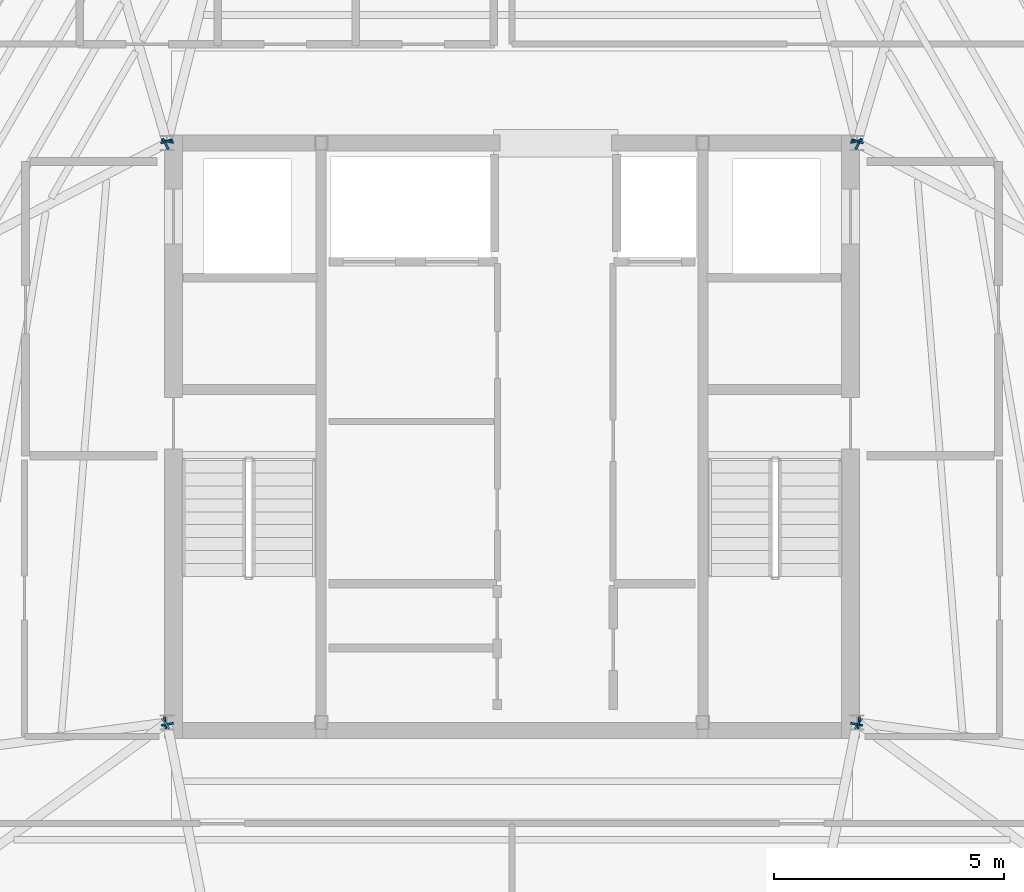
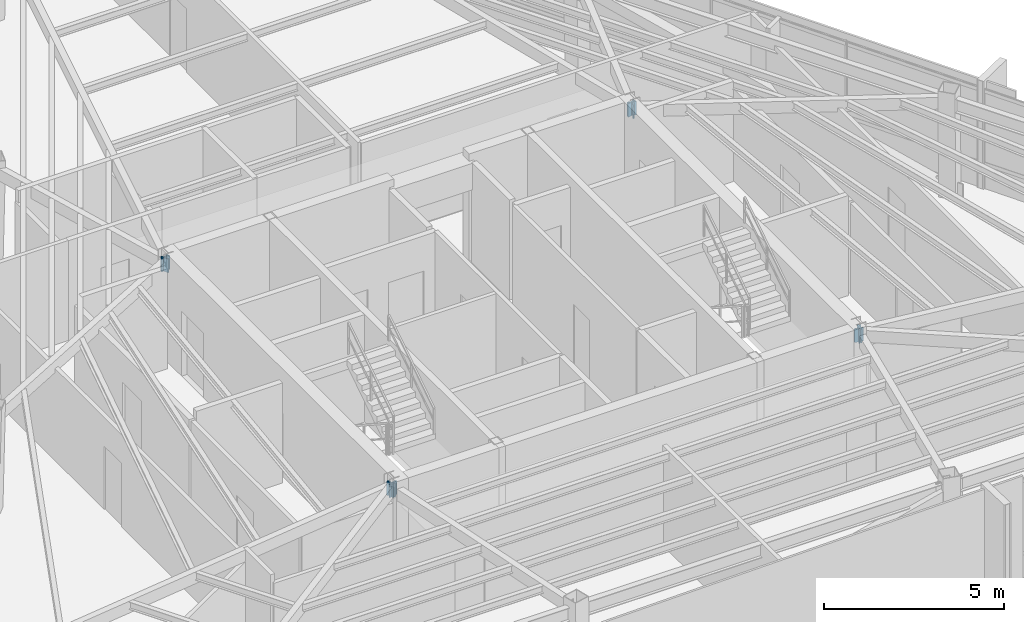
# One storey, part 40 of 45: 12 plates.
"""IFC4 building model written with IfcOpenShell, lengths in metres."""

from ifc_helpers import new_model, si_unit, direction, frame, origin, origin_2d, place, context, subcontext, project, spatial, rectangle, extrude, source, transform, mapped, material, layer, layer_set, type_object, type_shapes, element, save


model = new_model("IFC4")

# Units and contexts
model_context = context("Model", 3, precision=1e-05, world=origin(), true_north=direction((0.0, 1.0)))
body_context = subcontext(model_context, "Body", "Model", "MODEL_VIEW")
ifc_project = project(units=[si_unit("LENGTHUNIT", "METRE"), si_unit("AREAUNIT", "SQUARE_METRE"), si_unit("VOLUMEUNIT", "CUBIC_METRE"), si_unit("PLANEANGLEUNIT", "RADIAN"), si_unit("MASSUNIT", "GRAM", prefix="KILO")], contexts=[model_context])

# Site, building, storey
site_placement = place(None, origin())
site = spatial("IfcSite", under=ifc_project, at=site_placement, CompositionType="ELEMENT")
building_placement = place(site_placement, origin())
building = spatial("IfcBuilding", under=site, at=building_placement, Name="Caelisora Broadcast Tower", CompositionType="ELEMENT")
storey_placement = place(building_placement, frame((0.0, 0.0, 273.64990234375)))
storey = spatial("IfcBuildingStorey", under=building, at=storey_placement, Name="L72", CompositionType="ELEMENT", Elevation=273.64990234375)

# Plates
ifc_material = material(Name="Steel Grade 350 L15 (AS/NZS 3678)", Category="steel")
ifc_layer = layer(ifc_material, 0.0400390625, Name="Steel Grade 350 L15 (AS/NZS 3678)")
ifc_layer_set = layer_set([ifc_layer], Name="Steel Grade 350 L15 (AS/NZS 3678)")
plate_type = type_object("IfcPlateType", Name="GP04", PredefinedType="USERDEFINED", material=ifc_layer_set)
shared_shape = source(origin(), body_context, "Body", "SweptSolid", [
    extrude(rectangle(XDim=0.260009765625, YDim=0.0400390625, at=origin_2d()), origin(), (0.0, 0.0, 1.0), 0.4599609375),
])
type_shapes(plate_type, [shared_shape])
for number, where, z_axis, x_axis, name in (
    (1, (45.490478515625, 30.038818359375, 2.97021484375), (0.0, 0.0, 1.0), (-0.970464383152, -0.241244442494, 0.0), "L72 gusset plate GP04 (ND-RAD-L72-01)"),
    (2, (30.509521484375, 30.038818359375, 2.97021484375), (0.0, 0.0, 1.0), (-0.970464383152, 0.241244442494, 0.0), "L72 gusset plate GP04 (ND-RAD-L72-02)"),
    (3, (30.48876953125, 30.038330078125, 2.97021484375), (0.0, 0.0, 1.0), (-0.959952117146, -0.280164117595, 0.0), "L72 gusset plate GP04 (ND-RAD-L72-03)"),
    (4, (30.464599609375, 29.981689453125, 2.97021484375), (0.0, 0.0, 1.0), (0.46035473079, -0.8877350516, 0.0), "L72 gusset plate GP04 (ND-RAD-L72-04)"),
    (5, (30.46044921875, 17.394775390625, 2.97021484375), (0.0, 0.0, 1.0), (0.132948356962, -0.991122966327, 0.0), "L72 gusset plate GP04 (ND-RAD-L72-05)"),
    (6, (30.4677734375, 17.37646484375, 2.97021484375), (0.0, 0.0, 1.0), (0.589196357353, -0.807989883898, 0.0), "L72 gusset plate GP04 (ND-RAD-L72-06)"),
    (7, (30.5078125, 17.360595703125, 2.97021484375), (0.0, 0.0, 1.0), (0.981292663992, 0.192521966526, 0.0), "L72 gusset plate GP04 (ND-RAD-L72-07)"),
    (8, (45.4921875, 17.360595703125, 2.97021484375), (0.0, 0.0, 1.0), (0.981292663992, -0.192521966526, 0.0), "L72 gusset plate GP04 (ND-RAD-L72-08)"),
    (9, (45.5322265625, 17.37646484375, 2.97021484375), (0.0, 0.0, 1.0), (0.589196357353, 0.807989883898, 0.0), "L72 gusset plate GP04 (ND-RAD-L72-09)"),
    (10, (45.53955078125, 17.394775390625, 2.97021484375), (0.0, 0.0, 1.0), (0.132948356962, 0.991122966327, 0.0), "L72 gusset plate GP04 (ND-RAD-L72-10)"),
    (11, (45.535400390625, 29.981689453125, 2.97021484375), (0.0, 0.0, 1.0), (0.46035473079, 0.8877350516, 0.0), "L72 gusset plate GP04 (ND-RAD-L72-11)"),
    (12, (45.51123046875, 30.038330078125, 2.97021484375), (0.0, 0.0, 1.0), (-0.959952117146, 0.280164117595, 0.0), "L72 gusset plate GP04 (ND-RAD-L72-12)"),
):
    element("IfcPlate", number, at=place(storey_placement, frame(where, z_axis=z_axis, x_axis=x_axis)), inside=storey, type_object=plate_type, Name=name, ObjectType="GUSSET PLATE", PredefinedType="USERDEFINED", context=body_context, shape_type="MappedRepresentation", body=[
        mapped(shared_shape, transform((0.0, 0.0, 0.0), scale=1.0)),
    ])

save(model, "model.ifc")
